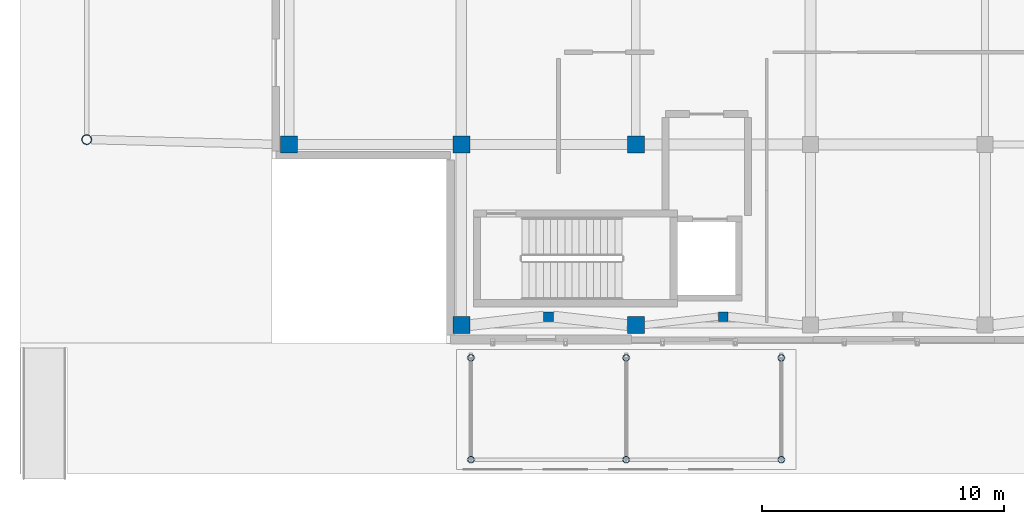
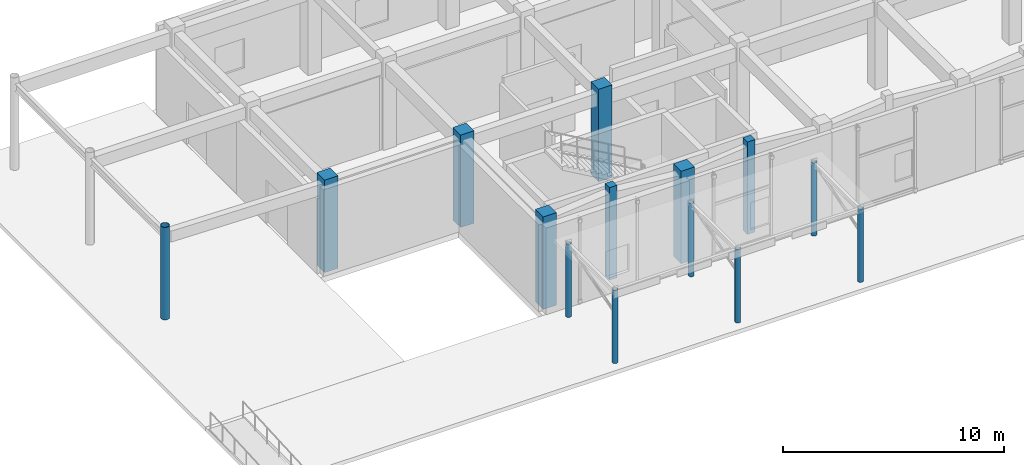
# One storey, part 1 of 121: 14 columns.
"""IFC4 building model written with IfcOpenShell, lengths in metres."""

from ifc_helpers import new_model, si_unit, direction, frame, origin, origin_2d, place, context, subcontext, project, spatial, rectangle, hollow_circle, extrude, material, material_profile, profile_set, type_object, element, save


model = new_model("IFC4")

# Units and contexts
model_context = context("Model", 3, precision=1e-05, world=origin(), true_north=direction((0.0, 1.0)))
body_context = subcontext(model_context, "Body", "Model", "MODEL_VIEW")
ifc_project = project(units=[si_unit("LENGTHUNIT", "METRE"), si_unit("AREAUNIT", "SQUARE_METRE"), si_unit("VOLUMEUNIT", "CUBIC_METRE"), si_unit("PLANEANGLEUNIT", "RADIAN"), si_unit("MASSUNIT", "GRAM", prefix="KILO")], contexts=[model_context])

# Site, building, storey
site_placement = place(None, origin())
site = spatial("IfcSite", under=ifc_project, at=site_placement, CompositionType="ELEMENT")
building_placement = place(site_placement, origin())
building = spatial("IfcBuilding", under=site, at=building_placement, Name="Valcora Specialist Clinic", CompositionType="ELEMENT")
storey_placement = place(building_placement, origin())
storey = spatial("IfcBuildingStorey", under=building, at=storey_placement, Name="L00", CompositionType="ELEMENT", Elevation=0.0)

# Columns
ifc_material_1 = material(Name="Steel ASTM A500 Grade C", Category="steel")
ifc_material_profile_1 = material_profile(ifc_material_1, hollow_circle(Radius=0.136474609375, WallThickness=0.011962890625, at=origin_2d()), Name="ST-CHS-273X12")
ifc_profile_set_1 = profile_set([ifc_material_profile_1], Name="Steel ASTM A500 Grade C")
column_type_1 = type_object("IfcColumnType", Name="TY-COL-CHS273", PredefinedType="COLUMN", material=ifc_profile_set_1)
for number, where, z_axis, x_axis, name in (
    (1, (16.60009765625, -4.800048828125, 0.0), (0.0, 0.0, 1.0), (1.0, 0.0, 0.0), "Column COL-L00-1008"),
    (2, (16.60009765625, -0.60009765625, 0.0), (0.0, 0.0, 1.0), (1.0, 0.0, 0.0), "Column COL-L00-1010"),
    (3, (23.0, -4.800048828125, 0.0), (0.0, 0.0, 1.0), (1.0, 0.0, 0.0), "Column COL-L00-1012"),
    (4, (23.0, -0.60009765625, 0.0), (0.0, 0.0, 1.0), (1.0, 0.0, 0.0), "Column COL-L00-1014"),
    (5, (29.39990234375, -4.800048828125, 0.0), (0.0, 0.0, 1.0), (1.0, 0.0, 0.0), "Column COL-L00-1016"),
    (6, (29.39990234375, -0.60009765625, 0.0), (0.0, 0.0, 1.0), (1.0, 0.0, 0.0), "Column COL-L00-1018"),
):
    element("IfcColumn", number, at=place(storey_placement, frame(where, z_axis=z_axis, x_axis=x_axis)), inside=storey, type_object=column_type_1, Name=name, PredefinedType="COLUMN", context=body_context, shape_type="SweptSolid", body=[
        extrude(hollow_circle(Radius=0.136474609375, WallThickness=0.011962890625, at=origin_2d()), origin(), (0.0, 0.0, 1.0), 4.0400390625),
    ])
ifc_material_profile_2 = material_profile(ifc_material_1, hollow_circle(Radius=0.202880859375, WallThickness=0.01611328125, at=origin_2d()), Name="ST-CHS-406X16")
ifc_profile_set_2 = profile_set([ifc_material_profile_2], Name="Steel ASTM A500 Grade C")
column_type_2 = type_object("IfcColumnType", Name="TY-COL-CHS406", PredefinedType="COLUMN", material=ifc_profile_set_2)
column_placement = place(storey_placement, frame((0.75, 8.39990234375, 0.0), z_axis=(0.0, 0.0, 1.0), x_axis=(1.0, 0.0, 0.0)))
element("IfcColumn", 7, at=column_placement, inside=storey, type_object=column_type_2, Name="Column COL-L00-0537", PredefinedType="COLUMN", context=body_context, shape_type="SweptSolid", body=[
    extrude(hollow_circle(Radius=0.202880859375, WallThickness=0.01611328125, at=origin_2d()), origin(), (0.0, 0.0, 1.0), 5.10009765625),
])
ifc_material_2 = material(Name="Concrete C40/50", Category="concrete")
ifc_material_profile_3 = material_profile(ifc_material_2, rectangle(XDim=0.699951171875, YDim=0.699951171875, at=origin_2d()), Name="RC-COL-700X700")
ifc_profile_set_3 = profile_set([ifc_material_profile_3], Name="Concrete C40/50")
column_type_3 = type_object("IfcColumnType", Name="TY-COL-RC700", PredefinedType="COLUMN", material=ifc_profile_set_3)
for number, where, z_axis, x_axis, name in (
    (8, (9.10009765625, 8.199951171875, 0.0), (0.0, 0.0, 1.0), (1.0, 0.0, 0.0), "Column COL-L00-0558"),
    (9, (16.199951171875, 0.75, 0.0), (0.0, 0.0, 1.0), (1.0, 0.0, 0.0), "Column COL-L00-0579"),
    (10, (16.199951171875, 8.199951171875, 0.0), (0.0, 0.0, 1.0), (1.0, 0.0, 0.0), "Column COL-L00-0586"),
    (11, (23.39990234375, 0.75, 0.0), (0.0, 0.0, 1.0), (1.0, 0.0, 0.0), "Column COL-L00-0607"),
    (12, (23.39990234375, 8.199951171875, 0.0), (0.0, 0.0, 1.0), (1.0, 0.0, 0.0), "Column COL-L00-0614"),
):
    element("IfcColumn", number, at=place(storey_placement, frame(where, z_axis=z_axis, x_axis=x_axis)), inside=storey, type_object=column_type_3, Name=name, PredefinedType="COLUMN", context=body_context, shape_type="SweptSolid", body=[
        extrude(rectangle(XDim=0.699951171875, YDim=0.699951171875, at=origin_2d()), origin(), (0.0, 0.0, 1.0), 5.10009765625),
    ])
ifc_material_profile_4 = material_profile(ifc_material_2, rectangle(XDim=0.39990234375, YDim=0.39990234375, at=origin_2d()), Name="RC-COL-400X400")
ifc_profile_set_4 = profile_set([ifc_material_profile_4], Name="Concrete C40/50")
column_type_4 = type_object("IfcColumnType", Name="TY-PIL-RC400", PredefinedType="PILASTER", material=ifc_profile_set_4)
for number, where, z_axis, x_axis, name in (
    (13, (19.800048828125, 1.10009765625, 0.0), (0.0, 0.0, 1.0), (1.0, 0.0, 0.0), "Column COL-L00-1039"),
    (14, (27.0, 1.10009765625, 0.0), (0.0, 0.0, 1.0), (1.0, 0.0, 0.0), "Column COL-L00-1043"),
):
    element("IfcColumn", number, at=place(storey_placement, frame(where, z_axis=z_axis, x_axis=x_axis)), inside=storey, type_object=column_type_4, Name=name, PredefinedType="PILASTER", context=body_context, shape_type="SweptSolid", body=[
        extrude(rectangle(XDim=0.39990234375, YDim=0.39990234375, at=origin_2d()), origin(), (0.0, 0.0, 1.0), 5.10009765625),
    ])

save(model, "model.ifc")
